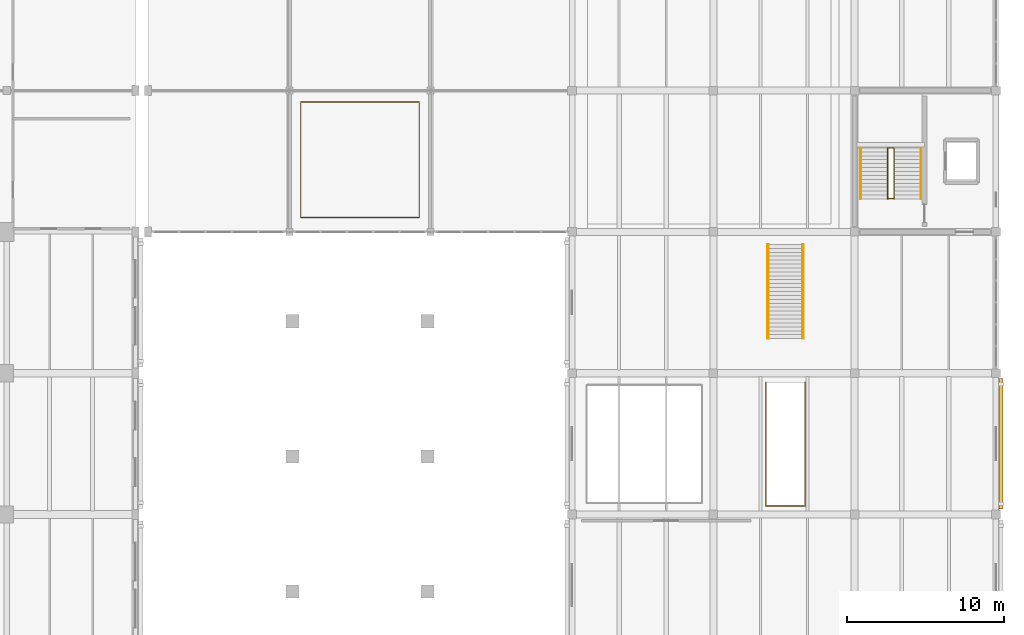
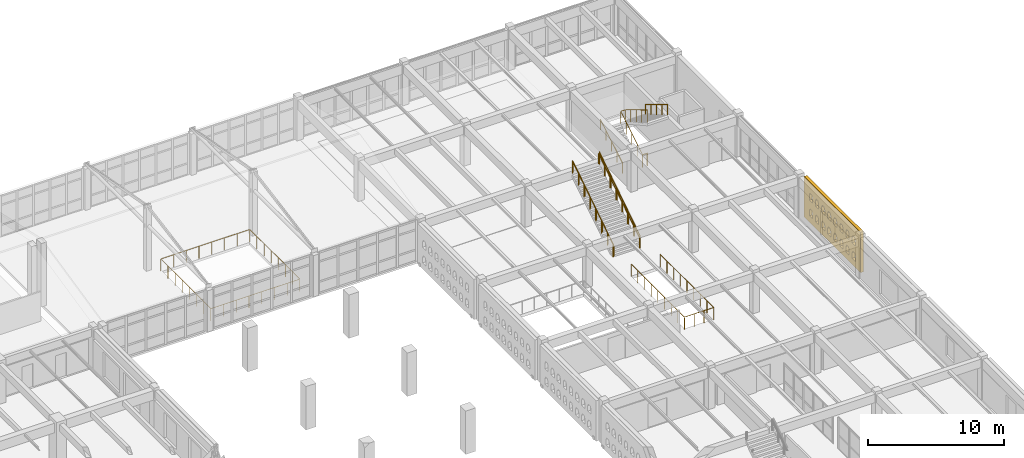
# One storey, part 155 of 156: 10 railings, 1 covering.
"""IFC4 building model written with IfcOpenShell, lengths in metres."""

from ifc_helpers import new_model, si_unit, direction, frame, origin, origin_2d, place, context, subcontext, project, spatial, polyline, circle, outline, extrude, material, layer, layer_set, type_object, element, save


model = new_model("IFC4")

# Units and contexts
model_context = context("Model", 3, precision=1e-05, world=origin(), true_north=direction((0.0, 1.0)))
body_context = subcontext(model_context, "Body", "Model", "MODEL_VIEW")
ifc_project = project(units=[si_unit("LENGTHUNIT", "METRE"), si_unit("AREAUNIT", "SQUARE_METRE"), si_unit("VOLUMEUNIT", "CUBIC_METRE"), si_unit("PLANEANGLEUNIT", "RADIAN"), si_unit("MASSUNIT", "GRAM", prefix="KILO")], contexts=[model_context])

# Site, building, storey
site_placement = place(None, origin())
site = spatial("IfcSite", under=ifc_project, at=site_placement, CompositionType="ELEMENT")
building_placement = place(site_placement, origin())
building = spatial("IfcBuilding", under=site, at=building_placement, Name="Ornek Quay Market", CompositionType="ELEMENT")
storey_placement = place(building_placement, frame((0.0, 0.0, 4.5)))
storey = spatial("IfcBuildingStorey", under=building, at=storey_placement, Name="L01", CompositionType="ELEMENT", Elevation=4.5)

# Covering
ifc_material_1 = material(Name="Frost-resistant facing clay brick M200 F100", Category="masonry")
ifc_layer = layer(ifc_material_1, 0.25, Name="Frost-resistant facing clay brick M200 F100", Category="masonry")
ifc_layer_set = layer_set([ifc_layer], Name="Frost-resistant facing clay brick M200 F100")
covering_type = type_object("IfcCoveringType", Name="COV-BRICK-LATTICE-250", PredefinedType="CLADDING", material=ifc_layer_set)
covering_placement = place(storey_placement, frame((180.330078125, 74.35009765625, 0.0), z_axis=(0.0, 0.0, 1.0), x_axis=(0.0, 1.0, 0.0)))
element("IfcCovering", 1, at=covering_placement, inside=storey, type_object=covering_type, Name="Arched brick lattice screen BLS-078", PredefinedType="CLADDING", context=body_context, shape_type="SweptSolid", body=[
    extrude(outline(polyline([(0.0, 0.0), (8.2998046875, 0.0), (8.2998046875, 3.6298828125), (0.0, 3.6298828125), (0.0, 0.0)]), holes=[polyline([(0.760009765625, 0.550048828125), (1.239990234375, 0.550048828125), (1.239990234375, 1.050048828125), (1.1201171875, 1.2578125), (0.8798828125, 1.2578125), (0.760009765625, 1.050048828125), (0.760009765625, 0.550048828125)]), polyline([(0.760009765625, 1.949951171875), (1.239990234375, 1.949951171875), (1.239990234375, 2.449951171875), (1.1201171875, 2.65771484375), (0.8798828125, 2.65771484375), (0.760009765625, 2.449951171875), (0.760009765625, 1.949951171875)]), polyline([(1.659912109375, 0.550048828125), (2.139892578125, 0.550048828125), (2.139892578125, 1.050048828125), (2.02001953125, 1.2578125), (1.780029296875, 1.2578125), (1.659912109375, 1.050048828125), (1.659912109375, 0.550048828125)]), polyline([(1.659912109375, 1.949951171875), (2.139892578125, 1.949951171875), (2.139892578125, 2.449951171875), (2.02001953125, 2.65771484375), (1.780029296875, 2.65771484375), (1.659912109375, 2.449951171875), (1.659912109375, 1.949951171875)]), polyline([(2.56005859375, 0.550048828125), (3.0400390625, 0.550048828125), (3.0400390625, 1.050048828125), (2.919921875, 1.2578125), (2.679931640625, 1.2578125), (2.56005859375, 1.050048828125), (2.56005859375, 0.550048828125)]), polyline([(2.56005859375, 1.949951171875), (3.0400390625, 1.949951171875), (3.0400390625, 2.449951171875), (2.919921875, 2.65771484375), (2.679931640625, 2.65771484375), (2.56005859375, 2.449951171875), (2.56005859375, 1.949951171875)]), polyline([(3.4599609375, 0.550048828125), (3.93994140625, 0.550048828125), (3.93994140625, 1.050048828125), (3.820068359375, 1.2578125), (3.580078125, 1.2578125), (3.4599609375, 1.050048828125), (3.4599609375, 0.550048828125)]), polyline([(3.4599609375, 1.949951171875), (3.93994140625, 1.949951171875), (3.93994140625, 2.449951171875), (3.820068359375, 2.65771484375), (3.580078125, 2.65771484375), (3.4599609375, 2.449951171875), (3.4599609375, 1.949951171875)]), polyline([(4.360107421875, 0.550048828125), (4.840087890625, 0.550048828125), (4.840087890625, 1.050048828125), (4.719970703125, 1.2578125), (4.47998046875, 1.2578125), (4.360107421875, 1.050048828125), (4.360107421875, 0.550048828125)]), polyline([(4.360107421875, 1.949951171875), (4.840087890625, 1.949951171875), (4.840087890625, 2.449951171875), (4.719970703125, 2.65771484375), (4.47998046875, 2.65771484375), (4.360107421875, 2.449951171875), (4.360107421875, 1.949951171875)]), polyline([(5.260009765625, 0.550048828125), (5.739990234375, 0.550048828125), (5.739990234375, 1.050048828125), (5.6201171875, 1.2578125), (5.3798828125, 1.2578125), (5.260009765625, 1.050048828125), (5.260009765625, 0.550048828125)]), polyline([(5.260009765625, 1.949951171875), (5.739990234375, 1.949951171875), (5.739990234375, 2.449951171875), (5.6201171875, 2.65771484375), (5.3798828125, 2.65771484375), (5.260009765625, 2.449951171875), (5.260009765625, 1.949951171875)]), polyline([(6.159912109375, 0.550048828125), (6.639892578125, 0.550048828125), (6.639892578125, 1.050048828125), (6.52001953125, 1.2578125), (6.280029296875, 1.2578125), (6.159912109375, 1.050048828125), (6.159912109375, 0.550048828125)]), polyline([(6.159912109375, 1.949951171875), (6.639892578125, 1.949951171875), (6.639892578125, 2.449951171875), (6.52001953125, 2.65771484375), (6.280029296875, 2.65771484375), (6.159912109375, 2.449951171875), (6.159912109375, 1.949951171875)]), polyline([(7.06005859375, 0.550048828125), (7.5400390625, 0.550048828125), (7.5400390625, 1.050048828125), (7.419921875, 1.2578125), (7.179931640625, 1.2578125), (7.06005859375, 1.050048828125), (7.06005859375, 0.550048828125)]), polyline([(7.06005859375, 1.949951171875), (7.5400390625, 1.949951171875), (7.5400390625, 2.449951171875), (7.419921875, 2.65771484375), (7.179931640625, 2.65771484375), (7.06005859375, 2.449951171875), (7.06005859375, 1.949951171875)])]), frame((0.0, 0.125, 0.0), z_axis=(0.0, -1.0, 0.0), x_axis=(1.0, 0.0, 0.0)), (0.0, 0.0, 1.0), 0.25),
])

# Railings
ifc_material_2 = material(Name="Painted steel S355 and vertical infill bars", Category="steel")
railing_type_1 = type_object("IfcRailingType", Name="RL-GUARD-GAL-1100", PredefinedType="GUARDRAIL", material=ifc_material_2)
railing_1_placement = place(storey_placement, frame((165.360107421875, 82.39990234375, 0.0)))
element("IfcRailing", 2, at=railing_1_placement, inside=storey, type_object=railing_type_1, Name="Railing GR-01-099", PredefinedType="GUARDRAIL", context=body_context, shape_type="SweptSolid", body=[
    extrude(circle(Radius=0.02392578125, at=origin_2d()), frame((0.0, 0.0, 1.09619140625), z_axis=(0.0, -1.0, 0.0), x_axis=(1.0, 0.0, 0.0)), (0.0, 0.0, 1.0), 7.829833984375),
    extrude(circle(Radius=0.02392578125, at=origin_2d()), frame((0.030029296875, -7.85986328125, 1.09619140625), z_axis=(1.0, 0.0, 0.0), x_axis=(0.0, 1.0, 0.0)), (0.0, 0.0, 1.0), 2.419921875),
    extrude(circle(Radius=0.02392578125, at=origin_2d()), frame((2.47998046875, -7.829833984375, 1.09619140625), z_axis=(0.0, 1.0, 0.0), x_axis=(-1.0, 0.0, 0.0)), (0.0, 0.0, 1.0), 7.829833984375),
    extrude(circle(Radius=0.02099609375, at=origin_2d()), origin(), (0.0, 0.0, 1.0), 1.068115234375),
    extrude(circle(Radius=0.02099609375, at=origin_2d()), frame((0.0, -0.982421875, 0.0)), (0.0, 0.0, 1.0), 1.068115234375),
    extrude(circle(Radius=0.02099609375, at=origin_2d()), frame((0.0, -1.96484375, 0.0)), (0.0, 0.0, 1.0), 1.068115234375),
    extrude(circle(Radius=0.02099609375, at=origin_2d()), frame((0.0, -2.947509765625, 0.0)), (0.0, 0.0, 1.0), 1.068115234375),
    extrude(circle(Radius=0.02099609375, at=origin_2d()), frame((0.0, -3.929931640625, 0.0)), (0.0, 0.0, 1.0), 1.068115234375),
    extrude(circle(Radius=0.02099609375, at=origin_2d()), frame((0.0, -4.912353515625, 0.0)), (0.0, 0.0, 1.0), 1.068115234375),
    extrude(circle(Radius=0.02099609375, at=origin_2d()), frame((0.0, -5.89501953125, 0.0)), (0.0, 0.0, 1.0), 1.068115234375),
    extrude(circle(Radius=0.02099609375, at=origin_2d()), frame((0.0, -6.87744140625, 0.0)), (0.0, 0.0, 1.0), 1.068115234375),
    extrude(circle(Radius=0.02099609375, at=origin_2d()), frame((0.0, -7.85986328125, 0.0)), (0.0, 0.0, 1.0), 1.068115234375),
    extrude(circle(Radius=0.02099609375, at=origin_2d()), frame((0.82666015625, -7.85986328125, 0.0)), (0.0, 0.0, 1.0), 1.068115234375),
    extrude(circle(Radius=0.02099609375, at=origin_2d()), frame((1.6533203125, -7.85986328125, 0.0)), (0.0, 0.0, 1.0), 1.068115234375),
    extrude(circle(Radius=0.02099609375, at=origin_2d()), frame((2.47998046875, -7.85986328125, 0.0)), (0.0, 0.0, 1.0), 1.068115234375),
    extrude(circle(Radius=0.02099609375, at=origin_2d()), frame((2.47998046875, -6.87744140625, 0.0)), (0.0, 0.0, 1.0), 1.068115234375),
    extrude(circle(Radius=0.02099609375, at=origin_2d()), frame((2.47998046875, -5.89501953125, 0.0)), (0.0, 0.0, 1.0), 1.068115234375),
    extrude(circle(Radius=0.02099609375, at=origin_2d()), frame((2.47998046875, -4.912353515625, 0.0)), (0.0, 0.0, 1.0), 1.068115234375),
    extrude(circle(Radius=0.02099609375, at=origin_2d()), frame((2.47998046875, -3.929931640625, 0.0)), (0.0, 0.0, 1.0), 1.068115234375),
    extrude(circle(Radius=0.02099609375, at=origin_2d()), frame((2.47998046875, -2.947509765625, 0.0)), (0.0, 0.0, 1.0), 1.068115234375),
    extrude(circle(Radius=0.02099609375, at=origin_2d()), frame((2.47998046875, -1.96484375, 0.0)), (0.0, 0.0, 1.0), 1.068115234375),
    extrude(circle(Radius=0.02099609375, at=origin_2d()), frame((2.47998046875, -0.982421875, 0.0)), (0.0, 0.0, 1.0), 1.068115234375),
    extrude(circle(Radius=0.02099609375, at=origin_2d()), frame((2.47998046875, 0.0, 0.0)), (0.0, 0.0, 1.0), 1.068115234375),
])
railing_2_placement = place(storey_placement, frame((135.719970703125, 92.919921875, 0.0)))
element("IfcRailing", 3, at=railing_2_placement, inside=storey, type_object=railing_type_1, Name="Railing GR-01-134", PredefinedType="GUARDRAIL", context=body_context, shape_type="SweptSolid", body=[
    extrude(circle(Radius=0.02392578125, at=origin_2d()), frame((0.0, 0.0, 1.09619140625), z_axis=(1.0, 0.0, 0.0), x_axis=(0.0, 1.0, 0.0)), (0.0, 0.0, 1.0), 7.530029296875),
    extrude(circle(Radius=0.02392578125, at=origin_2d()), frame((7.56005859375, 0.030029296875, 1.09619140625), z_axis=(0.0, 1.0, 0.0), x_axis=(-1.0, 0.0, 0.0)), (0.0, 0.0, 1.0), 7.300048828125),
    extrude(circle(Radius=0.02392578125, at=origin_2d()), frame((7.530029296875, 7.360107421875, 1.09619140625), z_axis=(-1.0, 0.0, 0.0), x_axis=(0.0, -1.0, 0.0)), (0.0, 0.0, 1.0), 7.5),
    extrude(circle(Radius=0.02392578125, at=origin_2d()), frame((0.0, 7.330078125, 1.09619140625), z_axis=(0.0, -1.0, 0.0), x_axis=(1.0, 0.0, 0.0)), (0.0, 0.0, 1.0), 7.330078125),
    extrude(circle(Radius=0.02099609375, at=origin_2d()), origin(), (0.0, 0.0, 1.0), 1.068115234375),
    extrude(circle(Radius=0.02099609375, at=origin_2d()), frame((1.080078125, 0.0, 0.0)), (0.0, 0.0, 1.0), 1.068115234375),
    extrude(circle(Radius=0.02099609375, at=origin_2d()), frame((2.159912109375, 0.0, 0.0)), (0.0, 0.0, 1.0), 1.068115234375),
    extrude(circle(Radius=0.02099609375, at=origin_2d()), frame((3.239990234375, 0.0, 0.0)), (0.0, 0.0, 1.0), 1.068115234375),
    extrude(circle(Radius=0.02099609375, at=origin_2d()), frame((4.320068359375, 0.0, 0.0)), (0.0, 0.0, 1.0), 1.068115234375),
    extrude(circle(Radius=0.02099609375, at=origin_2d()), frame((5.400146484375, 0.0, 0.0)), (0.0, 0.0, 1.0), 1.068115234375),
    extrude(circle(Radius=0.02099609375, at=origin_2d()), frame((6.47998046875, 0.0, 0.0)), (0.0, 0.0, 1.0), 1.068115234375),
    extrude(circle(Radius=0.02099609375, at=origin_2d()), frame((7.56005859375, 0.0, 0.0)), (0.0, 0.0, 1.0), 1.068115234375),
    extrude(circle(Radius=0.02099609375, at=origin_2d()), frame((7.56005859375, 1.051513671875, 0.0)), (0.0, 0.0, 1.0), 1.068115234375),
    extrude(circle(Radius=0.02099609375, at=origin_2d()), frame((7.56005859375, 2.102783203125, 0.0)), (0.0, 0.0, 1.0), 1.068115234375),
    extrude(circle(Radius=0.02099609375, at=origin_2d()), frame((7.56005859375, 3.154296875, 0.0)), (0.0, 0.0, 1.0), 1.068115234375),
    extrude(circle(Radius=0.02099609375, at=origin_2d()), frame((7.56005859375, 4.205810546875, 0.0)), (0.0, 0.0, 1.0), 1.068115234375),
    extrude(circle(Radius=0.02099609375, at=origin_2d()), frame((7.56005859375, 5.25732421875, 0.0)), (0.0, 0.0, 1.0), 1.068115234375),
    extrude(circle(Radius=0.02099609375, at=origin_2d()), frame((7.56005859375, 6.30859375, 0.0)), (0.0, 0.0, 1.0), 1.068115234375),
    extrude(circle(Radius=0.02099609375, at=origin_2d()), frame((7.56005859375, 7.360107421875, 0.0)), (0.0, 0.0, 1.0), 1.068115234375),
    extrude(circle(Radius=0.02099609375, at=origin_2d()), frame((6.47998046875, 7.360107421875, 0.0)), (0.0, 0.0, 1.0), 1.068115234375),
    extrude(circle(Radius=0.02099609375, at=origin_2d()), frame((5.400146484375, 7.360107421875, 0.0)), (0.0, 0.0, 1.0), 1.068115234375),
    extrude(circle(Radius=0.02099609375, at=origin_2d()), frame((4.320068359375, 7.360107421875, 0.0)), (0.0, 0.0, 1.0), 1.068115234375),
    extrude(circle(Radius=0.02099609375, at=origin_2d()), frame((3.239990234375, 7.360107421875, 0.0)), (0.0, 0.0, 1.0), 1.068115234375),
    extrude(circle(Radius=0.02099609375, at=origin_2d()), frame((2.159912109375, 7.360107421875, 0.0)), (0.0, 0.0, 1.0), 1.068115234375),
    extrude(circle(Radius=0.02099609375, at=origin_2d()), frame((1.080078125, 7.360107421875, 0.0)), (0.0, 0.0, 1.0), 1.068115234375),
    extrude(circle(Radius=0.02099609375, at=origin_2d()), frame((0.0, 7.360107421875, 0.0)), (0.0, 0.0, 1.0), 1.068115234375),
    extrude(circle(Radius=0.02099609375, at=origin_2d()), frame((0.0, 6.30859375, 0.0)), (0.0, 0.0, 1.0), 1.068115234375),
    extrude(circle(Radius=0.02099609375, at=origin_2d()), frame((0.0, 5.25732421875, 0.0)), (0.0, 0.0, 1.0), 1.068115234375),
    extrude(circle(Radius=0.02099609375, at=origin_2d()), frame((0.0, 4.205810546875, 0.0)), (0.0, 0.0, 1.0), 1.068115234375),
    extrude(circle(Radius=0.02099609375, at=origin_2d()), frame((0.0, 3.154296875, 0.0)), (0.0, 0.0, 1.0), 1.068115234375),
    extrude(circle(Radius=0.02099609375, at=origin_2d()), frame((0.0, 2.102783203125, 0.0)), (0.0, 0.0, 1.0), 1.068115234375),
    extrude(circle(Radius=0.02099609375, at=origin_2d()), frame((0.0, 1.051513671875, 0.0)), (0.0, 0.0, 1.0), 1.068115234375),
])
ifc_material_3 = material(Name="Brushed stainless steel 316", Category="steel")
railing_type_2 = type_object("IfcRailingType", Name="RL-GUARD-STAIR-1100", PredefinedType="GUARDRAIL", material=ifc_material_3)
railing_3_placement = place(storey_placement, frame((173.10009765625, 94.1201171875, 0.0)))
element("IfcRailing", 4, at=railing_3_placement, inside=storey, type_object=railing_type_2, Name="Railing GR-03-040", PredefinedType="GUARDRAIL", context=body_context, shape_type="SweptSolid", body=[
    extrude(circle(Radius=0.02392578125, at=origin_2d()), frame((0.0, 0.0, 1.09619140625), z_axis=(1.0, 0.0, 0.0), x_axis=(0.0, 1.0, 0.0)), (0.0, 0.0, 1.0), 0.39990234375),
    extrude(circle(Radius=0.02099609375, at=origin_2d()), origin(), (0.0, 0.0, 1.0), 1.068115234375),
    extrude(circle(Radius=0.02099609375, at=origin_2d()), frame((0.39990234375, 0.0, 0.0)), (0.0, 0.0, 1.0), 1.068115234375),
])
railing_4_placement = place(storey_placement, frame((173.10009765625, 94.095947265625, 0.0)))
element("IfcRailing", 5, at=railing_4_placement, inside=storey, type_object=railing_type_2, Name="Railing GR-03-041", PredefinedType="GUARDRAIL", context=body_context, shape_type="SweptSolid", body=[
    extrude(circle(Radius=0.02392578125, at=origin_2d()), frame((0.0, 0.0, 1.09619140625), z_axis=(0.0, 0.857225438961, 0.514941304226), x_axis=(-1.0, 0.0, 0.0)), (0.0, 0.0, 1.0), 3.7568359375),
    extrude(circle(Radius=0.02392578125, at=origin_2d()), frame((0.030029296875, 3.24609375, 3.0458984375), z_axis=(1.0, 0.0, 0.0), x_axis=(0.0, 1.0, 0.0)), (0.0, 0.0, 1.0), 0.33984375),
    extrude(circle(Radius=0.02392578125, at=origin_2d()), frame((0.39990234375, 3.220458984375, 3.0615234375), z_axis=(0.0, -0.856934400257, 0.515425487977), x_axis=(1.0, 0.0, 0.0)), (0.0, 0.0, 1.0), 3.753173828125),
    extrude(circle(Radius=0.02099609375, at=origin_2d()), origin(), (0.0, 0.0, 1.0), 1.068115234375),
    extrude(circle(Radius=0.02099609375, at=origin_2d()), frame((0.0, 0.8115234375, 0.487548828125)), (0.0, 0.0, 1.0), 1.068115234375),
    extrude(circle(Radius=0.02099609375, at=origin_2d()), frame((0.0, 1.623046875, 0.97509765625)), (0.0, 0.0, 1.0), 1.068115234375),
    extrude(circle(Radius=0.02099609375, at=origin_2d()), frame((0.0, 2.4345703125, 1.46240234375)), (0.0, 0.0, 1.0), 1.068115234375),
    extrude(circle(Radius=0.02099609375, at=origin_2d()), frame((0.0, 3.24609375, 1.949951171875)), (0.0, 0.0, 1.0), 1.068115234375),
    extrude(circle(Radius=0.02099609375, at=origin_2d()), frame((0.39990234375, 3.24609375, 1.949951171875)), (0.0, 0.0, 1.0), 1.068115234375),
    extrude(circle(Radius=0.02099609375, at=origin_2d()), frame((0.39990234375, 2.435546875, 2.4375)), (0.0, 0.0, 1.0), 1.068115234375),
    extrude(circle(Radius=0.02099609375, at=origin_2d()), frame((0.39990234375, 1.625, 2.9248046875)), (0.0, 0.0, 1.0), 1.068115234375),
    extrude(circle(Radius=0.02099609375, at=origin_2d()), frame((0.39990234375, 0.814697265625, 3.412353515625)), (0.0, 0.0, 1.0), 1.068115234375),
    extrude(circle(Radius=0.02099609375, at=origin_2d()), frame((0.39990234375, 0.004150390625, 3.89990234375)), (0.0, 0.0, 1.0), 1.068115234375),
])
for number, where, name in (
    (6, (165.4599609375, 85.2041015625, 0.0), "Railing GR-03-100"),
    (7, (167.739990234375, 85.2041015625, 0.0), "Railing GR-03-101"),
):
    element("IfcRailing", number, at=place(storey_placement, frame(where)), inside=storey, type_object=railing_type_2, Name=name, PredefinedType="GUARDRAIL", context=body_context, shape_type="SweptSolid", body=[
        extrude(circle(Radius=0.02392578125, at=origin_2d()), frame((0.0, 0.0, 1.09619140625), z_axis=(0.0, 0.838277470406, 0.545243874436), x_axis=(-1.0, 0.0, 0.0)), (0.0, 0.0, 1.0), 7.152587890625),
        extrude(circle(Radius=0.02099609375, at=origin_2d()), origin(), (0.0, 0.0, 1.0), 1.068115234375),
        extrude(circle(Radius=0.02099609375, at=origin_2d()), frame((0.0, 0.8564453125, 0.55712890625)), (0.0, 0.0, 1.0), 1.068115234375),
        extrude(circle(Radius=0.02099609375, at=origin_2d()), frame((0.0, 1.713134765625, 1.1142578125)), (0.0, 0.0, 1.0), 1.068115234375),
        extrude(circle(Radius=0.02099609375, at=origin_2d()), frame((0.0, 2.569580078125, 1.67138671875)), (0.0, 0.0, 1.0), 1.068115234375),
        extrude(circle(Radius=0.02099609375, at=origin_2d()), frame((0.0, 3.42626953125, 2.228515625)), (0.0, 0.0, 1.0), 1.068115234375),
        extrude(circle(Radius=0.02099609375, at=origin_2d()), frame((0.0, 4.28271484375, 2.78564453125)), (0.0, 0.0, 1.0), 1.068115234375),
        extrude(circle(Radius=0.02099609375, at=origin_2d()), frame((0.0, 5.139404296875, 3.3427734375)), (0.0, 0.0, 1.0), 1.068115234375),
        extrude(circle(Radius=0.02099609375, at=origin_2d()), frame((0.0, 5.995849609375, 3.89990234375)), (0.0, 0.0, 1.0), 1.068115234375),
    ])
railing_type_3 = type_object("IfcRailingType", Name="RL-HANDRAIL-920", PredefinedType="HANDRAIL", material=ifc_material_3)
railing_5_placement = place(storey_placement, frame((171.3798828125, 94.095947265625, 0.080078125)))
element("IfcRailing", 8, at=railing_5_placement, inside=storey, type_object=railing_type_3, Name="Railing HR-01-042", PredefinedType="HANDRAIL", context=body_context, shape_type="SweptSolid", body=[
    extrude(circle(Radius=0.02392578125, at=origin_2d()), frame((0.0, 0.0, 0.89599609375), z_axis=(0.0, 0.857225438961, 0.514941304226), x_axis=(-1.0, 0.0, 0.0)), (0.0, 0.0, 1.0), 3.786865234375),
    extrude(circle(Radius=0.02099609375, at=origin_2d()), origin(), (0.0, 0.0, 1.0), 0.867919921875),
    extrude(circle(Radius=0.02099609375, at=origin_2d()), frame((0.0, 0.8115234375, 0.487548828125)), (0.0, 0.0, 1.0), 0.867919921875),
    extrude(circle(Radius=0.02099609375, at=origin_2d()), frame((0.0, 1.623046875, 0.97509765625)), (0.0, 0.0, 1.0), 0.867919921875),
    extrude(circle(Radius=0.02099609375, at=origin_2d()), frame((0.0, 2.4345703125, 1.46240234375)), (0.0, 0.0, 1.0), 0.867919921875),
    extrude(circle(Radius=0.02099609375, at=origin_2d()), frame((0.0, 3.24609375, 1.949951171875)), (0.0, 0.0, 1.0), 0.867919921875),
])
railing_6_placement = place(storey_placement, frame((175.219970703125, 97.342041015625, 2.030029296875)))
element("IfcRailing", 9, at=railing_6_placement, inside=storey, type_object=railing_type_3, Name="Railing HR-01-043", PredefinedType="HANDRAIL", context=body_context, shape_type="SweptSolid", body=[
    extrude(circle(Radius=0.02392578125, at=origin_2d()), frame((0.0, 0.0, 0.89599609375), z_axis=(0.0, -0.856934400257, 0.515425487977), x_axis=(1.0, 0.0, 0.0)), (0.0, 0.0, 1.0), 3.783203125),
    extrude(circle(Radius=0.02099609375, at=origin_2d()), origin(), (0.0, 0.0, 1.0), 0.867919921875),
    extrude(circle(Radius=0.02099609375, at=origin_2d()), frame((0.0, -0.810546875, 0.487548828125)), (0.0, 0.0, 1.0), 0.867919921875),
    extrude(circle(Radius=0.02099609375, at=origin_2d()), frame((0.0, -1.62109375, 0.97509765625)), (0.0, 0.0, 1.0), 0.867919921875),
    extrude(circle(Radius=0.02099609375, at=origin_2d()), frame((0.0, -2.431396484375, 1.46240234375)), (0.0, 0.0, 1.0), 0.867919921875),
    extrude(circle(Radius=0.02099609375, at=origin_2d()), frame((0.0, -3.241943359375, 1.949951171875)), (0.0, 0.0, 1.0), 0.867919921875),
])
for number, where, name in (
    (10, (165.52001953125, 85.2041015625, 0.080078125), "Railing HR-01-102"),
    (11, (167.679931640625, 85.2041015625, 0.080078125), "Railing HR-01-103"),
):
    element("IfcRailing", number, at=place(storey_placement, frame(where)), inside=storey, type_object=railing_type_3, Name=name, PredefinedType="HANDRAIL", context=body_context, shape_type="SweptSolid", body=[
        extrude(circle(Radius=0.02392578125, at=origin_2d()), frame((0.0, 0.0, 0.89599609375), z_axis=(0.0, 0.838277470406, 0.545243874436), x_axis=(-1.0, 0.0, 0.0)), (0.0, 0.0, 1.0), 7.152587890625),
        extrude(circle(Radius=0.02099609375, at=origin_2d()), origin(), (0.0, 0.0, 1.0), 0.867919921875),
        extrude(circle(Radius=0.02099609375, at=origin_2d()), frame((0.0, 0.8564453125, 0.55712890625)), (0.0, 0.0, 1.0), 0.867919921875),
        extrude(circle(Radius=0.02099609375, at=origin_2d()), frame((0.0, 1.713134765625, 1.1142578125)), (0.0, 0.0, 1.0), 0.867919921875),
        extrude(circle(Radius=0.02099609375, at=origin_2d()), frame((0.0, 2.569580078125, 1.67138671875)), (0.0, 0.0, 1.0), 0.867919921875),
        extrude(circle(Radius=0.02099609375, at=origin_2d()), frame((0.0, 3.42626953125, 2.228515625)), (0.0, 0.0, 1.0), 0.867919921875),
        extrude(circle(Radius=0.02099609375, at=origin_2d()), frame((0.0, 4.28271484375, 2.78564453125)), (0.0, 0.0, 1.0), 0.867919921875),
        extrude(circle(Radius=0.02099609375, at=origin_2d()), frame((0.0, 5.139404296875, 3.3427734375)), (0.0, 0.0, 1.0), 0.867919921875),
        extrude(circle(Radius=0.02099609375, at=origin_2d()), frame((0.0, 5.995849609375, 3.89990234375)), (0.0, 0.0, 1.0), 0.867919921875),
    ])

save(model, "model.ifc")
